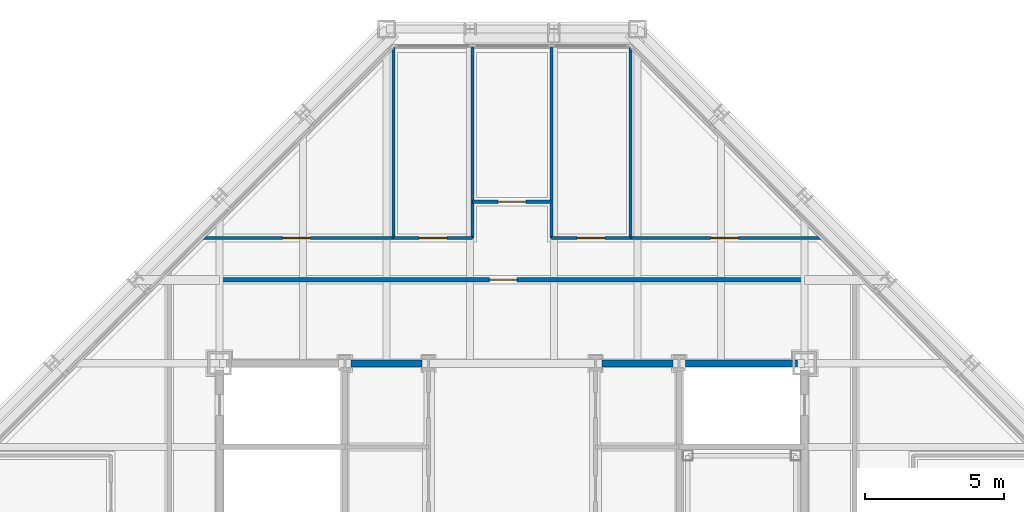
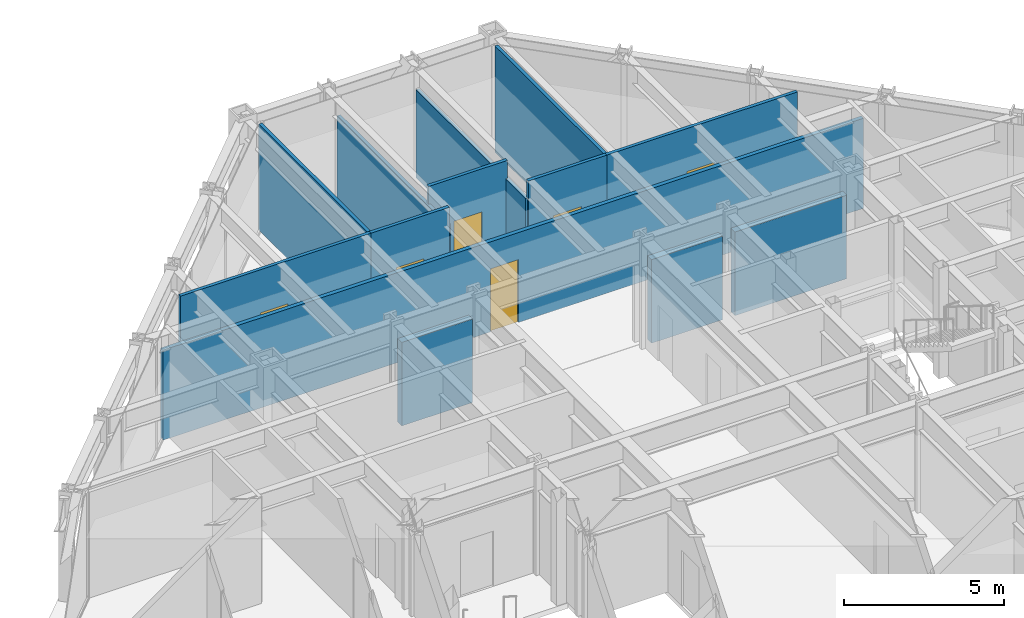
# One storey, part 12 of 15: 13 walls, 6 doors, 6 openings.
"""IFC4 building model written with IfcOpenShell, lengths in metres."""

from ifc_helpers import new_model, si_unit, direction, frame, frame_2d, origin, place, context, subcontext, project, spatial, rectangle, extrude, material, layer, layer_set, type_object, element, fill, save


model = new_model("IFC4")

# Units and contexts
model_context = context("Model", 3, precision=1e-05, world=origin(), true_north=direction((0.0, 1.0)))
body_context = subcontext(model_context, "Body", "Model", "MODEL_VIEW")
ifc_project = project(units=[si_unit("LENGTHUNIT", "METRE"), si_unit("AREAUNIT", "SQUARE_METRE"), si_unit("VOLUMEUNIT", "CUBIC_METRE"), si_unit("PLANEANGLEUNIT", "RADIAN"), si_unit("MASSUNIT", "GRAM", prefix="KILO")], contexts=[model_context])

# Site, building, storey
site_placement = place(None, origin())
site = spatial("IfcSite", under=ifc_project, at=site_placement, CompositionType="ELEMENT")
building_placement = place(site_placement, origin())
building = spatial("IfcBuilding", under=site, at=building_placement, Name="Chuquiago Exchange Tower", CompositionType="ELEMENT")
storey_placement = place(building_placement, frame((0.0, 0.0, 266.39990234375)))
storey = spatial("IfcBuildingStorey", under=building, at=storey_placement, Name="L59", CompositionType="ELEMENT", Elevation=266.39990234375)

# Walls
ifc_material_1 = material(Name="Concrete masonry, fully grouted", Category="masonry")
ifc_layer_1 = layer(ifc_material_1, 0.25)
ifc_layer_set_1 = layer_set([ifc_layer_1], Name="W1 core wall 250")
wall_type_1 = type_object("IfcWallType", Name="W1 core wall 250", PredefinedType="SOLIDWALL", material=ifc_layer_set_1)
for number, where, z_axis, x_axis, name in (
    (1, (16.724853515625, 33.0, 0.0), (0.0, 0.0, 1.0), (1.0, 0.0, 0.0), "CW-L59-11-1"),
    (2, (25.724853515625, 33.0, 0.0), (0.0, 0.0, 1.0), (1.0, 0.0, 0.0), "CW-L59-12-0"),
):
    element("IfcWall", number, at=place(storey_placement, frame(where, z_axis=z_axis, x_axis=x_axis)), inside=storey, type_object=wall_type_1, Name=name, PredefinedType="SOLIDWALL", context=body_context, shape_type="SweptSolid", body=[
        extrude(rectangle(XDim=2.55029296875, YDim=0.25, at=frame_2d((1.275146484375, 0.0))), origin(), (0.0, 0.0, 1.0), 3.181640625),
    ])
wall_1_placement = place(storey_placement, frame((28.724853515625, 33.0, 0.0), z_axis=(0.0, 0.0, 1.0), x_axis=(1.0, 0.0, 0.0)))
element("IfcWall", 3, at=wall_1_placement, inside=storey, type_object=wall_type_1, Name="CW-L59-12-1", PredefinedType="SOLIDWALL", context=body_context, shape_type="SweptSolid", body=[
    extrude(rectangle(XDim=4.025146484375, YDim=0.25, at=frame_2d((2.0126953125, 0.0))), origin(), (0.0, 0.0, 1.0), 3.181640625),
])

# Wall, opening, door
ifc_material_2 = material(Name="Gypsum board on steel studs, acoustic insulation", Category="steel")
ifc_layer_2 = layer(ifc_material_2, 0.14990234375)
ifc_layer_set_2 = layer_set([ifc_layer_2], Name="W11 corridor wall 150")
wall_type_2 = type_object("IfcWallType", Name="W11 corridor wall 150", PredefinedType="PARTITIONING", material=ifc_layer_set_2)
wall_2_placement = place(storey_placement, frame((9.885498046875, 36.0, 0.0), z_axis=(0.0, 0.0, 1.0), x_axis=(1.0, 0.0, 0.0)))
wall_2 = element("IfcWall", 4, at=wall_2_placement, inside=storey, type_object=wall_type_2, Name="PW-L59-GN0", PredefinedType="PARTITIONING", context=body_context, shape_type="SweptSolid", body=[
    extrude(rectangle(XDim=25.22900390625, YDim=0.14990234375, at=frame_2d((12.614501953125, 0.0))), origin(), (0.0, 0.0, 1.0), 3.427978515625),
])
opening_1_placement = place(wall_2_placement, frame((11.800048828125, 0.0, 0.0)))
opening_1 = element("IfcOpeningElement", 5, at=opening_1_placement, cuts=wall_2, Name="Opening L59-037", PredefinedType="OPENING", context=body_context, shape_type="SweptSolid", body=[
    extrude(rectangle(XDim=1.0, YDim=2.39990234375, at=frame_2d((0.5, 1.199951171875))), frame((0.0, 0.0849609375, 0.0), z_axis=(0.0, -1.0, 0.0), x_axis=(1.0, 0.0, 0.0)), (0.0, 0.0, 1.0), 0.169921875),
])
ifc_material_3 = material(Name="Timber door, laminate faced", Category="wood")
door_type_1 = type_object("IfcDoorType", Name="D9 room door 1000x2400", OperationType="SINGLE_SWING_LEFT", PredefinedType="DOOR", material=ifc_material_3)
door_1_placement = place(opening_1_placement, origin())
door_1 = element("IfcDoor", 6, at=door_1_placement, inside=storey, type_object=door_type_1, Name="Team area door", OperationType="SINGLE_SWING_LEFT", OverallHeight=2.39990234375, OverallWidth=1.0, PredefinedType="DOOR", context=body_context, shape_type="SweptSolid", body=[
    extrude(rectangle(XDim=1.0, YDim=2.39990234375, at=frame_2d((0.5, 1.199951171875))), frame((0.0, 0.02490234375, 0.0), z_axis=(0.0, -1.0, 0.0), x_axis=(1.0, 0.0, 0.0)), (0.0, 0.0, 1.0), 0.050048828125),
])
fill(opening_1, door_1)

# Walls
ifc_material_4 = material(Name="Gypsum board on steel studs", Category="steel")
ifc_layer_3 = layer(ifc_material_4, 0.1201171875)
ifc_layer_set_3 = layer_set([ifc_layer_3], Name="W4 partition 120")
wall_type_3 = type_object("IfcWallType", Name="W4 partition 120", PredefinedType="PARTITIONING", material=ifc_layer_set_3)
wall_3_placement = place(storey_placement, frame((18.24853515625, 44.333984375, 0.0), z_axis=(0.0, 0.0, 1.0), x_axis=(0.0, -1.0, 0.0)))
element("IfcWall", 7, at=wall_3_placement, inside=storey, type_object=wall_type_3, Name="PW-L59-N01825", PredefinedType="PARTITIONING", context=body_context, shape_type="SweptSolid", body=[
    extrude(rectangle(XDim=6.833984375, YDim=0.1201171875, at=frame_2d((3.4169921875, 0.0))), origin(), (0.0, 0.0, 1.0), 4.0400390625),
])
for number, where, z_axis, x_axis, name in (
    (8, (21.082763671875, 44.347412109375, 0.0), (0.0, 0.0, 1.0), (0.0, -1.0, 0.0), "PW-L59-N02108"),
    (9, (23.917236328125, 44.347412109375, 0.0), (0.0, 0.0, 1.0), (0.0, -1.0, 0.0), "PW-L59-N02392"),
):
    element("IfcWall", number, at=place(storey_placement, frame(where, z_axis=z_axis, x_axis=x_axis)), inside=storey, type_object=wall_type_3, Name=name, PredefinedType="PARTITIONING", context=body_context, shape_type="SweptSolid", body=[
        extrude(rectangle(XDim=6.847412109375, YDim=0.1201171875, at=frame_2d((3.423828125, 0.0))), origin(), (0.0, 0.0, 1.0), 3.35693359375),
    ])
wall_4_placement = place(storey_placement, frame((26.75146484375, 44.333984375, 0.0), z_axis=(0.0, 0.0, 1.0), x_axis=(0.0, -1.0, 0.0)))
element("IfcWall", 10, at=wall_4_placement, inside=storey, type_object=wall_type_3, Name="PW-L59-N02675", PredefinedType="PARTITIONING", context=body_context, shape_type="SweptSolid", body=[
    extrude(rectangle(XDim=6.833984375, YDim=0.1201171875, at=frame_2d((3.4169921875, 0.0))), origin(), (0.0, 0.0, 1.0), 4.0400390625),
])

# Wall, opening, door
wall_5_placement = place(storey_placement, frame((11.385498046875, 37.5, 0.0), z_axis=(0.0, 0.0, 1.0), x_axis=(1.0, 0.0, 0.0)))
wall_5 = element("IfcWall", 11, at=wall_5_placement, inside=storey, type_object=wall_type_3, Name="PW-L59-NF00942", PredefinedType="PARTITIONING", context=body_context, shape_type="SweptSolid", body=[
    extrude(rectangle(XDim=6.863037109375, YDim=0.1201171875, at=frame_2d((3.431640625, 0.0))), origin(), (0.0, 0.0, 1.0), 4.0400390625),
])
opening_2_placement = place(wall_5_placement, frame((2.87939453125, 0.0, 0.0)))
opening_2 = element("IfcOpeningElement", 12, at=opening_2_placement, cuts=wall_5, Name="Opening L59-029", PredefinedType="OPENING", context=body_context, shape_type="SweptSolid", body=[
    extrude(rectangle(XDim=1.0, YDim=2.39990234375, at=frame_2d((0.5, 1.199951171875))), frame((0.0, 0.070068359375, 0.0), z_axis=(0.0, -1.0, 0.0), x_axis=(1.0, 0.0, 0.0)), (0.0, 0.0, 1.0), 0.14013671875),
])
door_2_placement = place(opening_2_placement, origin())
door_2 = element("IfcDoor", 13, at=door_2_placement, inside=storey, type_object=door_type_1, Name="Executive office door", OperationType="SINGLE_SWING_LEFT", OverallHeight=2.39990234375, OverallWidth=1.0, PredefinedType="DOOR", context=body_context, shape_type="SweptSolid", body=[
    extrude(rectangle(XDim=1.0, YDim=2.39990234375, at=frame_2d((0.5, 1.199951171875))), frame((0.0, 0.02490234375, 0.0), z_axis=(0.0, -1.0, 0.0), x_axis=(1.0, 0.0, 0.0)), (0.0, 0.0, 1.0), 0.050048828125),
])
fill(opening_2, door_2)

wall_6_placement = place(storey_placement, frame((18.24853515625, 37.5, 0.0), z_axis=(0.0, 0.0, 1.0), x_axis=(1.0, 0.0, 0.0)))
wall_6 = element("IfcWall", 14, at=wall_6_placement, inside=storey, type_object=wall_type_3, Name="PW-L59-NF01825", PredefinedType="PARTITIONING", context=body_context, shape_type="SweptSolid", body=[
    extrude(rectangle(XDim=2.834228515625, YDim=0.1201171875, at=frame_2d((1.4169921875, 0.0))), origin(), (0.0, 0.0, 1.0), 4.0400390625),
])
opening_3_placement = place(wall_6_placement, frame((0.9169921875, 0.0, 0.0)))
opening_3 = element("IfcOpeningElement", 15, at=opening_3_placement, cuts=wall_6, Name="Opening L59-030", PredefinedType="OPENING", context=body_context, shape_type="SweptSolid", body=[
    extrude(rectangle(XDim=1.0, YDim=2.39990234375, at=frame_2d((0.5, 1.199951171875))), frame((0.0, 0.070068359375, 0.0), z_axis=(0.0, -1.0, 0.0), x_axis=(1.0, 0.0, 0.0)), (0.0, 0.0, 1.0), 0.14013671875),
])
ifc_material_5 = material(Name="Timber frame door, full height glazed panel", Category="wood")
door_type_2 = type_object("IfcDoorType", Name="D14 glazed meeting room door 1000x2400", OperationType="SINGLE_SWING_LEFT", PredefinedType="DOOR", material=ifc_material_5)
door_3_placement = place(opening_3_placement, origin())
door_3 = element("IfcDoor", 16, at=door_3_placement, inside=storey, type_object=door_type_2, Name="Meeting room door", OperationType="SINGLE_SWING_LEFT", OverallHeight=2.39990234375, OverallWidth=1.0, PredefinedType="DOOR", context=body_context, shape_type="SweptSolid", body=[
    extrude(rectangle(XDim=1.0, YDim=2.39990234375, at=frame_2d((0.5, 1.199951171875))), frame((0.0, 0.02490234375, 0.0), z_axis=(0.0, -1.0, 0.0), x_axis=(1.0, 0.0, 0.0)), (0.0, 0.0, 1.0), 0.050048828125),
])
fill(opening_3, door_3)

wall_7_placement = place(storey_placement, frame((21.082763671875, 38.800048828125, 0.0), z_axis=(0.0, 0.0, 1.0), x_axis=(1.0, 0.0, 0.0)))
wall_7 = element("IfcWall", 17, at=wall_7_placement, inside=storey, type_object=wall_type_3, Name="PW-L59-NF02108", PredefinedType="PARTITIONING", context=body_context, shape_type="SweptSolid", body=[
    extrude(rectangle(XDim=2.83447265625, YDim=0.1201171875, at=frame_2d((1.417236328125, 0.0))), origin(), (0.0, 0.0, 1.0), 4.0400390625),
])
opening_4_placement = place(wall_7_placement, frame((0.917236328125, 0.0, 0.0)))
opening_4 = element("IfcOpeningElement", 18, at=opening_4_placement, cuts=wall_7, Name="Opening L59-031", PredefinedType="OPENING", context=body_context, shape_type="SweptSolid", body=[
    extrude(rectangle(XDim=1.0, YDim=2.39990234375, at=frame_2d((0.5, 1.199951171875))), frame((0.0, 0.070068359375, 0.0), z_axis=(0.0, -1.0, 0.0), x_axis=(1.0, 0.0, 0.0)), (0.0, 0.0, 1.0), 0.14013671875),
])
door_4_placement = place(opening_4_placement, origin())
door_4 = element("IfcDoor", 19, at=door_4_placement, inside=storey, type_object=door_type_2, Name="Focus room door", OperationType="SINGLE_SWING_LEFT", OverallHeight=2.39990234375, OverallWidth=1.0, PredefinedType="DOOR", context=body_context, shape_type="SweptSolid", body=[
    extrude(rectangle(XDim=1.0, YDim=2.39990234375, at=frame_2d((0.5, 1.199951171875))), frame((0.0, 0.02490234375, 0.0), z_axis=(0.0, -1.0, 0.0), x_axis=(1.0, 0.0, 0.0)), (0.0, 0.0, 1.0), 0.050048828125),
])
fill(opening_4, door_4)

wall_8_placement = place(storey_placement, frame((23.917236328125, 37.5, 0.0), z_axis=(0.0, 0.0, 1.0), x_axis=(1.0, 0.0, 0.0)))
wall_8 = element("IfcWall", 20, at=wall_8_placement, inside=storey, type_object=wall_type_3, Name="PW-L59-NF02392", PredefinedType="PARTITIONING", context=body_context, shape_type="SweptSolid", body=[
    extrude(rectangle(XDim=2.834228515625, YDim=0.1201171875, at=frame_2d((1.4169921875, 0.0))), origin(), (0.0, 0.0, 1.0), 4.0400390625),
])
opening_5_placement = place(wall_8_placement, frame((0.9169921875, 0.0, 0.0)))
opening_5 = element("IfcOpeningElement", 21, at=opening_5_placement, cuts=wall_8, Name="Opening L59-032", PredefinedType="OPENING", context=body_context, shape_type="SweptSolid", body=[
    extrude(rectangle(XDim=1.0, YDim=2.39990234375, at=frame_2d((0.5, 1.199951171875))), frame((0.0, 0.070068359375, 0.0), z_axis=(0.0, -1.0, 0.0), x_axis=(1.0, 0.0, 0.0)), (0.0, 0.0, 1.0), 0.14013671875),
])
door_5_placement = place(opening_5_placement, origin())
door_5 = element("IfcDoor", 22, at=door_5_placement, inside=storey, type_object=door_type_1, Name="Office door", OperationType="SINGLE_SWING_LEFT", OverallHeight=2.39990234375, OverallWidth=1.0, PredefinedType="DOOR", context=body_context, shape_type="SweptSolid", body=[
    extrude(rectangle(XDim=1.0, YDim=2.39990234375, at=frame_2d((0.5, 1.199951171875))), frame((0.0, 0.02490234375, 0.0), z_axis=(0.0, -1.0, 0.0), x_axis=(1.0, 0.0, 0.0)), (0.0, 0.0, 1.0), 0.050048828125),
])
fill(opening_5, door_5)

wall_9_placement = place(storey_placement, frame((26.75146484375, 37.5, 0.0), z_axis=(0.0, 0.0, 1.0), x_axis=(1.0, 0.0, 0.0)))
wall_9 = element("IfcWall", 23, at=wall_9_placement, inside=storey, type_object=wall_type_3, Name="PW-L59-NF02675", PredefinedType="PARTITIONING", context=body_context, shape_type="SweptSolid", body=[
    extrude(rectangle(XDim=6.863037109375, YDim=0.1201171875, at=frame_2d((3.431640625, 0.0))), origin(), (0.0, 0.0, 1.0), 4.0400390625),
])
opening_6_placement = place(wall_9_placement, frame((2.87939453125, 0.0, 0.0)))
opening_6 = element("IfcOpeningElement", 24, at=opening_6_placement, cuts=wall_9, Name="Opening L59-033", PredefinedType="OPENING", context=body_context, shape_type="SweptSolid", body=[
    extrude(rectangle(XDim=1.0, YDim=2.39990234375, at=frame_2d((0.5, 1.199951171875))), frame((0.0, 0.070068359375, 0.0), z_axis=(0.0, -1.0, 0.0), x_axis=(1.0, 0.0, 0.0)), (0.0, 0.0, 1.0), 0.14013671875),
])
door_6_placement = place(opening_6_placement, origin())
door_6 = element("IfcDoor", 25, at=door_6_placement, inside=storey, type_object=door_type_2, Name="Conference room door", OperationType="SINGLE_SWING_RIGHT", OverallHeight=2.39990234375, OverallWidth=1.0, PredefinedType="DOOR", context=body_context, shape_type="SweptSolid", body=[
    extrude(rectangle(XDim=1.0, YDim=2.39990234375, at=frame_2d((0.5, 1.199951171875))), frame((0.0, 0.02490234375, 0.0), z_axis=(0.0, -1.0, 0.0), x_axis=(1.0, 0.0, 0.0)), (0.0, 0.0, 1.0), 0.050048828125),
])
fill(opening_6, door_6)

save(model, "model.ifc")
